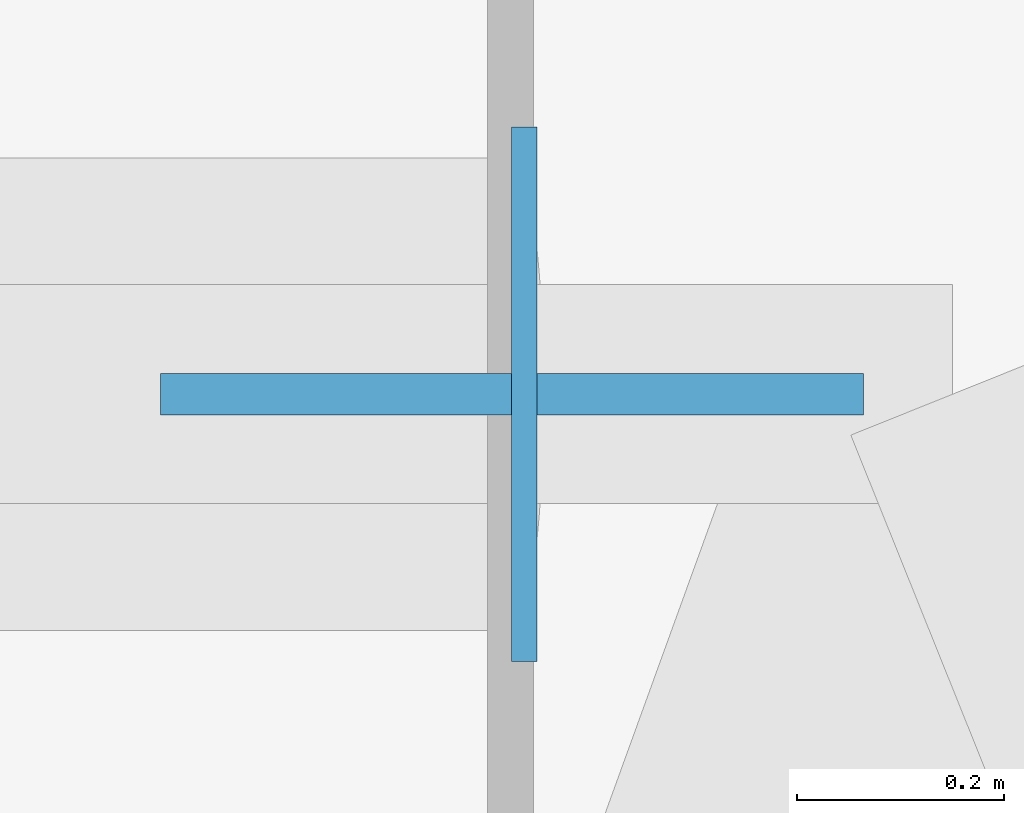
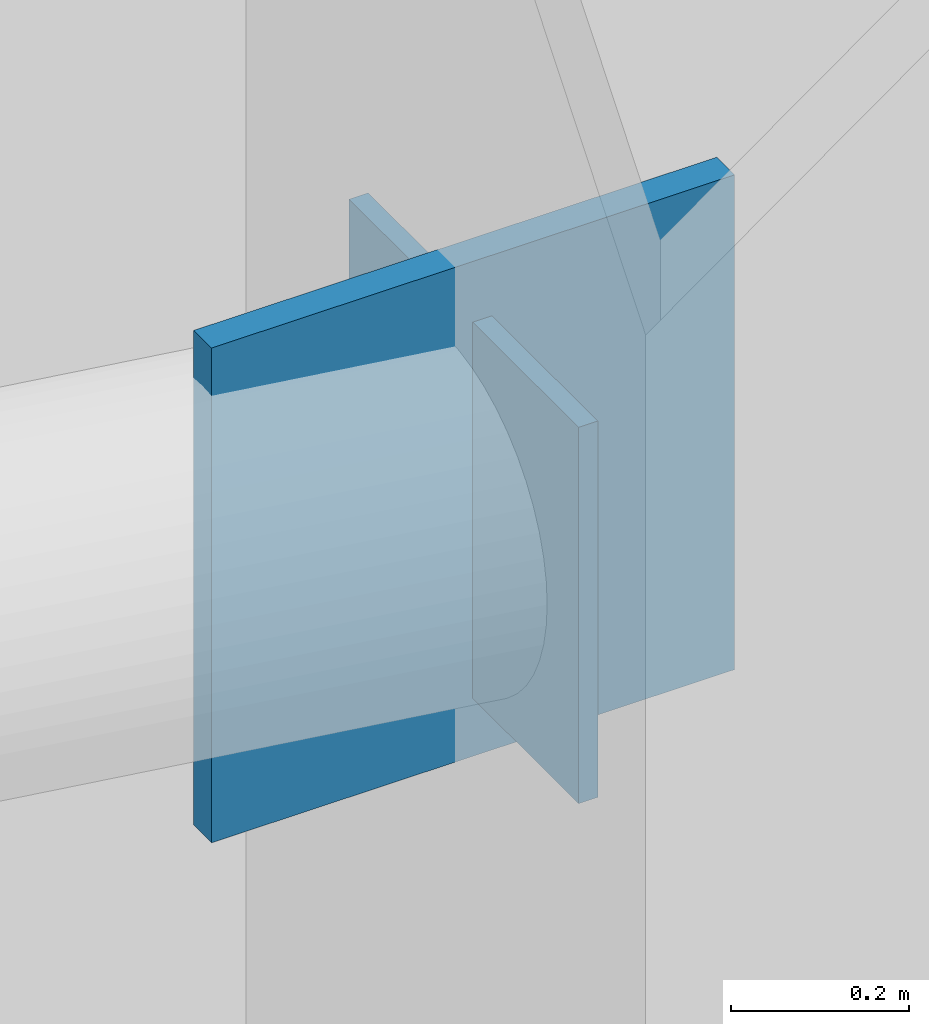
# One storey, part 9 of 16: 2 plates.
"""IFC4 building model written with IfcOpenShell, lengths in metres."""

from ifc_helpers import new_model, si_unit, direction, frame, origin, origin_2d, place, context, subcontext, project, spatial, rectangle, extrude, material, layer, layer_set, type_object, element, save


model = new_model("IFC4")

# Units and contexts
model_context = context("Model", 3, precision=1e-05, world=origin(), true_north=direction((0.0, 1.0)))
body_context = subcontext(model_context, "Body", "Model", "MODEL_VIEW")
ifc_project = project(units=[si_unit("LENGTHUNIT", "METRE"), si_unit("AREAUNIT", "SQUARE_METRE"), si_unit("VOLUMEUNIT", "CUBIC_METRE"), si_unit("PLANEANGLEUNIT", "RADIAN"), si_unit("MASSUNIT", "GRAM", prefix="KILO")], contexts=[model_context])

# Site, building, storey
site_placement = place(None, origin())
site = spatial("IfcSite", under=ifc_project, at=site_placement, CompositionType="ELEMENT")
building_placement = place(site_placement, origin())
building = spatial("IfcBuilding", under=site, at=building_placement, Name="Khamvora Tower", CompositionType="ELEMENT")
storey_placement = place(building_placement, frame((0.0, 0.0, 145.699951171875)))
storey = spatial("IfcBuildingStorey", under=building, at=storey_placement, Name="L37", CompositionType="ELEMENT", Elevation=145.699951171875)

# Plates
ifc_material_1 = material(Name="Steel S355", Category="steel")
ifc_layer_1 = layer(ifc_material_1, 0.02490234375)
ifc_layer_set_1 = layer_set([ifc_layer_1], Name="Steel S355")
plate_type_1 = type_object("IfcPlateType", Name="PL-CAP-25", PredefinedType="SHEET", material=ifc_layer_set_1)
plate_1_placement = place(storey_placement, frame((49.535888671875, 47.300048828125, 2.4775390625), z_axis=(0.0, 0.0, 1.0), x_axis=(-1.0, 0.0, 0.0)))
element("IfcPlate", 1, at=plate_1_placement, inside=storey, type_object=plate_type_1, Name="L37 hollow section steel end cap plate 0794", PredefinedType="SHEET", context=body_context, shape_type="SweptSolid", body=[
    extrude(rectangle(XDim=0.02490234375, YDim=0.51708984375, at=origin_2d()), origin(), (0.0, 0.0, 1.0), 0.51708984375),
])
ifc_material_2 = material(Name="Steel S460", Category="steel")
ifc_layer_2 = layer(ifc_material_2, 0.0400390625)
ifc_layer_set_2 = layer_set([ifc_layer_2], Name="Steel S460")
plate_type_2 = type_object("IfcPlateType", Name="PLT-GUS-40", PredefinedType="SHEET", material=ifc_layer_set_2)
plate_2_placement = place(storey_placement, frame((49.52392578125, 47.300048828125, 2.39794921875), z_axis=(0.0, 0.0, 1.0), x_axis=(1.0, 0.0, 0.0)))
element("IfcPlate", 2, at=plate_2_placement, inside=storey, type_object=plate_type_2, Name="L37 brace connection node gusset plate 0227", PredefinedType="SHEET", context=body_context, shape_type="SweptSolid", body=[
    extrude(rectangle(XDim=0.679931640625, YDim=0.0400390625, at=origin_2d()), origin(), (0.0, 0.0, 1.0), 0.679931640625),
])

save(model, "model.ifc")
